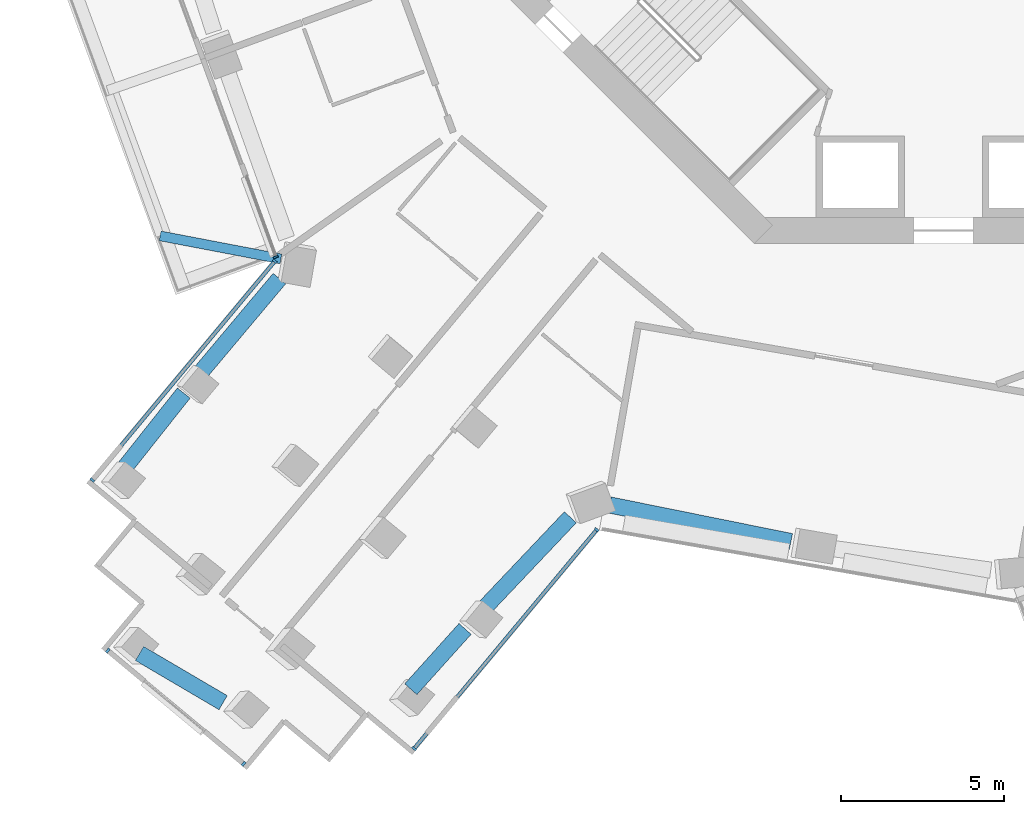
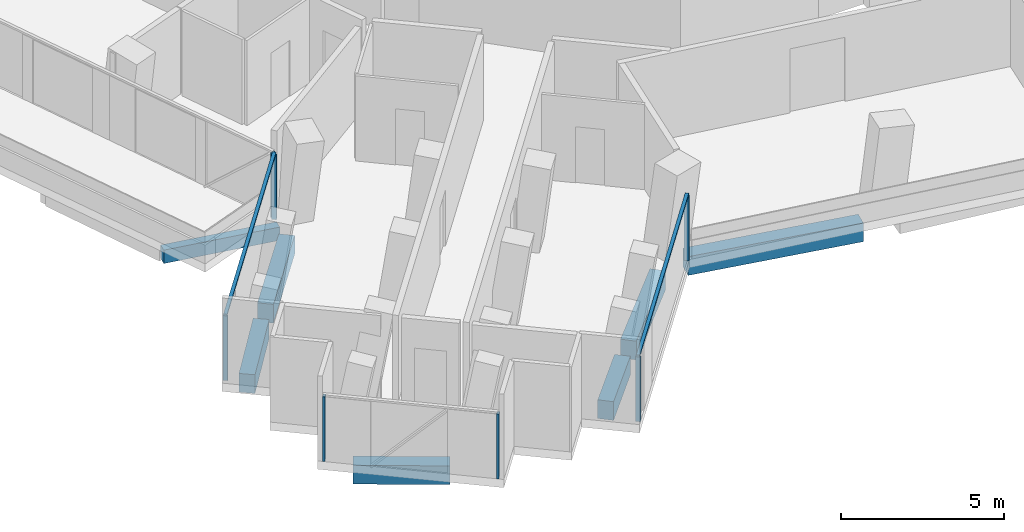
# One storey, part 2 of 24: 9 members, 7 beams, 4 elements without a shape of their own.
"""IFC4 building model written with IfcOpenShell, lengths in metres."""

import ifcopenshell
import ifcopenshell.guid

model = None  # the IFC model being written
_history = None  # IfcOwnerHistory: only IFC2X3 demands one
_inside = {}  # id of a spatial element -> (the spatial element, [elements in it])
_under = {}  # id of a project, library or spatial element -> (it, [spatial elements below it])
_declared = {}  # id of a project -> (the project, [libraries it declares])
_typed = {}  # id of a type object -> (the type object, [elements of that type])
_made_of = {}  # id of a material, layer set ... -> (it, [elements and type objects made of it])


def new_model(schema):
    """Start an empty IFC model of exactly this schema.

    Asked for "IFC4X3", IfcOpenShell would pick the latest addendum, in which some entities
    have other attributes; the version numbers below select the first issue.
    IFC2X3 requires an IfcOwnerHistory on every rooted entity: one is made here for all.
    """
    global model, _history
    if schema == "IFC4X3":
        model = ifcopenshell.file(schema_version=(4, 3, 0, 0))
    else:
        model = ifcopenshell.file(schema=schema)
    _inside.clear()
    _under.clear()
    _declared.clear()
    _typed.clear()
    _made_of.clear()
    _history = None
    if model.schema == "IFC2X3":
        org = make("IfcOrganization", Name="unknown")
        user = make(
            "IfcPersonAndOrganization",
            ThePerson=make("IfcPerson", FamilyName="unknown"),
            TheOrganization=org,
        )
        app = make(
            "IfcApplication",
            ApplicationDeveloper=org,
            Version="unknown",
            ApplicationFullName="unknown",
            ApplicationIdentifier="unknown",
        )
        _history = make(
            "IfcOwnerHistory",
            OwningUser=user,
            OwningApplication=app,
            ChangeAction="ADDED",
            CreationDate=0,
        )
    return model


def make(cls, **values):
    """One entity of the class cls with the attributes given. An attribute that is None is left unset."""
    return model.create_entity(
        cls, **{name: value for name, value in values.items() if value is not None}
    )


def rooted(cls, **values):
    """An entity with a GlobalId (a new one), such as an element, a storey or a relation."""
    return make(cls, GlobalId=ifcopenshell.guid.new(), OwnerHistory=_history, **values)


def si_unit(unit_type, name, prefix=None):
    """IfcSIUnit, for example si_unit("LENGTHUNIT", "METRE", prefix="MILLI")."""
    return make("IfcSIUnit", UnitType=unit_type, Prefix=prefix, Name=name)


def assignment(units):
    """IfcUnitAssignment: the units of a project."""
    return None if units is None else make("IfcUnitAssignment", Units=units)


def point(xyz):
    """IfcCartesianPoint."""
    return None if xyz is None else make("IfcCartesianPoint", Coordinates=xyz)


def direction(xyz):
    """IfcDirection."""
    return None if xyz is None else make("IfcDirection", DirectionRatios=xyz)


def frame(location, z_axis=None, x_axis=None):
    """IfcAxis2Placement3D, a coordinate frame: its origin and axes. An axis left out is left unset."""
    return make(
        "IfcAxis2Placement3D",
        Location=point(location),
        Axis=direction(z_axis),
        RefDirection=direction(x_axis),
    )


def frame_2d(location, x_axis=None):
    """IfcAxis2Placement2D, a coordinate frame in the plane: its origin and x axis."""
    return make(
        "IfcAxis2Placement2D", Location=point(location), RefDirection=direction(x_axis)
    )


def origin():
    """The frame at (0, 0, 0) with its axes left unset."""
    return frame((0.0, 0.0, 0.0))


def origin_2d():
    """The frame at (0, 0) in the plane with its x axis left unset."""
    return frame_2d((0.0, 0.0))


def place(relative_to, where):
    """IfcLocalPlacement: puts the frame where relative to a parent placement (None: the world)."""
    return make(
        "IfcLocalPlacement", PlacementRelTo=relative_to, RelativePlacement=where
    )


def context(
    kind, dimensions, precision=None, world=None, true_north=None, identifier=None
):
    """IfcGeometricRepresentationContext, for example the 3D "Model" context."""
    return make(
        "IfcGeometricRepresentationContext",
        ContextIdentifier=identifier,
        ContextType=kind,
        CoordinateSpaceDimension=dimensions,
        Precision=precision,
        WorldCoordinateSystem=world,
        TrueNorth=true_north,
    )


def subcontext(parent, identifier, kind, view, scale=None):
    """IfcGeometricRepresentationSubContext, for example "Body" below "Model"."""
    return make(
        "IfcGeometricRepresentationSubContext",
        ContextIdentifier=identifier,
        ContextType=kind,
        ParentContext=parent,
        TargetScale=scale,
        TargetView=view,
    )


def project(units=None, contexts=None):
    """IfcProject with its units and contexts."""
    return rooted(
        "IfcProject",
        Name="project",
        RepresentationContexts=contexts,
        UnitsInContext=assignment(units),
    )


def spatial(cls, under=None, at=None, **own):
    """A site, building, storey or space (cls), placed at a placement, below another one or the project."""
    s = rooted(cls, ObjectPlacement=at, **own)
    if under is not None:
        _under.setdefault(under.id(), (under, []))[1].append(s)
    return s


def profile(cls, at=None, kind="AREA", **sizes):
    """A parametric profile (cls). Its sizes go by their IFC names, for example OverallWidth=200.0."""
    return make(cls, ProfileType=kind, Position=at, **sizes)


def rectangle(**sizes):
    """IfcRectangleProfileDef."""
    return profile("IfcRectangleProfileDef", **sizes)


def extrude(swept, where, along, depth):
    """IfcExtrudedAreaSolid: the profile swept, set in the frame where, extruded along a direction by depth."""
    return make(
        "IfcExtrudedAreaSolid",
        SweptArea=swept,
        Position=where,
        ExtrudedDirection=direction(along),
        Depth=depth,
    )


def shape(context_of_items, identifier, shape_type, items):
    """IfcShapeRepresentation: the items that make up one representation, for example the "Body"."""
    return make(
        "IfcShapeRepresentation",
        ContextOfItems=context_of_items,
        RepresentationIdentifier=identifier,
        RepresentationType=shape_type,
        Items=items,
    )


def material(Name=None, Category=None):
    """IfcMaterial."""
    return make("IfcMaterial", Name=Name, Category=Category)


def layer(
    of_material, thickness, ventilated=None, Name=None, Category=None, Priority=None
):
    """IfcMaterialLayer: one layer of a wall or slab, of a material (None: an air gap)."""
    return make(
        "IfcMaterialLayer",
        Material=of_material,
        LayerThickness=thickness,
        IsVentilated=ventilated,
        Name=Name,
        Category=Category,
        Priority=Priority,
    )


def layer_set(layers, Name=None):
    """IfcMaterialLayerSet."""
    return make("IfcMaterialLayerSet", MaterialLayers=layers, LayerSetName=Name)


def material_profile(
    of_material, cross_section, Name=None, Category=None, Priority=None
):
    """IfcMaterialProfile: a cross section and its material."""
    return make(
        "IfcMaterialProfile",
        Name=Name,
        Material=of_material,
        Profile=cross_section,
        Priority=Priority,
        Category=Category,
    )


def profile_set(profiles, Name=None, composite=None):
    """IfcMaterialProfileSet."""
    return make(
        "IfcMaterialProfileSet",
        Name=Name,
        MaterialProfiles=profiles,
        CompositeProfile=composite,
    )


def made_of(thing, what):
    """Note that an element or type object is made of a material, layer set ...; save() writes the relation."""
    if what is not None:
        _made_of.setdefault(what.id(), (what, []))[1].append(thing)
    return thing


def type_object(cls, material=None, **own):
    """A type object (cls), such as IfcWallType, which elements share."""
    return made_of(rooted(cls, **own), material)


def element(
    cls,
    number,
    at=None,
    inside=None,
    cuts=None,
    type_object=None,
    material=None,
    context=None,
    identifier="Body",
    shape_type=None,
    held_by="IfcProductDefinitionShape",
    body=None,
    shapes=None,
    **own,
):
    """One element of the class cls, such as IfcWall. Its Tag is "e" and its number.

    at: its placement. inside: the storey or other place that contains it. cuts: it is an
    opening in that element (IfcRelVoidsElement). A single representation is given by context,
    identifier, shape_type and body (its items); several are given by shapes. held_by: the class
    of the entity that holds the representations. save() writes the other relations.
    """
    e = rooted(cls, Tag="e%d" % number, ObjectPlacement=at, **own)
    if body is not None:
        shapes = [shape(context, identifier, shape_type, body)]
    if shapes is not None:
        e.Representation = make(held_by, Representations=shapes)
    if inside is not None:
        _inside.setdefault(inside.id(), (inside, []))[1].append(e)
    if cuts is not None:
        rooted(
            "IfcRelVoidsElement", RelatingBuildingElement=cuts, RelatedOpeningElement=e
        )
    if type_object is not None:
        _typed.setdefault(type_object.id(), (type_object, []))[1].append(e)
    return made_of(e, material)


def aggregate(whole, parts):
    """IfcRelAggregates: a whole, such as a stair, and the parts it consists of."""
    return rooted("IfcRelAggregates", RelatingObject=whole, RelatedObjects=parts)


def save(model, path):
    """Write the relations noted so far, then the file.

    IfcRelAggregates (storeys below a building ...), IfcRelContainedInSpatialStructure (elements
    in a storey), IfcRelDefinesByType, IfcRelAssociatesMaterial and IfcRelDeclares: one each for
    every whole, place, type object, material and project.
    """
    for whole, parts in _under.values():
        aggregate(whole, parts)
    for where, things in _inside.values():
        rooted(
            "IfcRelContainedInSpatialStructure",
            RelatedElements=things,
            RelatingStructure=where,
        )
    for kind, things in _typed.values():
        rooted("IfcRelDefinesByType", RelatedObjects=things, RelatingType=kind)
    for what, things in _made_of.values():
        rooted("IfcRelAssociatesMaterial", RelatedObjects=things, RelatingMaterial=what)
    for by, libraries in _declared.values():
        rooted("IfcRelDeclares", RelatingContext=by, RelatedDefinitions=libraries)
    model.write(path)


model = new_model("IFC4")

# Units and contexts
model_context = context("Model", 3, precision=1e-05, world=origin(), true_north=direction((0.0, 1.0)))
body_context = subcontext(model_context, "Body", "Model", "MODEL_VIEW")
ifc_project = project(units=[si_unit("LENGTHUNIT", "METRE"), si_unit("AREAUNIT", "SQUARE_METRE"), si_unit("VOLUMEUNIT", "CUBIC_METRE"), si_unit("PLANEANGLEUNIT", "RADIAN"), si_unit("MASSUNIT", "GRAM", prefix="KILO")], contexts=[model_context])

# Site, building, storey
site_placement = place(None, origin())
site = spatial("IfcSite", under=ifc_project, at=site_placement, CompositionType="ELEMENT")
building_placement = place(site_placement, origin())
building = spatial("IfcBuilding", under=site, at=building_placement, Name="Verdalira Terraces Hotel", CompositionType="ELEMENT")
storey_placement = place(building_placement, frame((0.0, 0.0, 115.0)))
storey = spatial("IfcBuildingStorey", under=building, at=storey_placement, Name="L27", CompositionType="ELEMENT", Elevation=115.0)

# Beam
ifc_material_1 = material(Name="Concrete C40", Category="concrete")
ifc_material_profile_1 = material_profile(ifc_material_1, rectangle(XDim=0.300049, YDim=0.5, at=origin_2d()), Name="RC 300X500")
ifc_profile_set_1 = profile_set([ifc_material_profile_1], Name="Concrete C40")
beam_type_1 = type_object("IfcBeamType", Name="Balcony cantilever beam RC 300X500 C40", PredefinedType="BEAM", material=ifc_profile_set_1)
beam_1_placement = place(storey_placement, frame((-20.312744, -14.466797, -0.560059), z_axis=(-0.982280703, 0.187415635, 0.0), x_axis=(-0.187415635, -0.982280703, 0.0)))
element("IfcBeam", 1, at=beam_1_placement, inside=storey, type_object=beam_type_1, Name="Balcony cantilever beam R12-2", PredefinedType="BEAM", context=body_context, shape_type="SweptSolid", body=[
    extrude(rectangle(XDim=0.300049, YDim=0.5, at=origin_2d()), origin(), (0.0, 0.0, 1.0), 3.77002),
])

# Curtain wall, member
ifc_material_2 = material(Name="Clear glass", Category="glass")
ifc_layer_1 = layer(ifc_material_2, 0.14990234375)
ifc_layer_set_1 = layer_set([ifc_layer_1], Name="CW1 curtain wall")
curtain_wall_type_1 = type_object("IfcCurtainWallType", Name="CW1 curtain wall", PredefinedType="NOTDEFINED", material=ifc_layer_set_1)
curtain_wall_1_placement = place(storey_placement, origin())
curtain_wall_1 = element("IfcCurtainWall", 2, at=curtain_wall_1_placement, inside=storey, type_object=curtain_wall_type_1, Name="CW1 curtain wall L27 edge 13", PredefinedType="NOTDEFINED")
ifc_material_3 = material(Name="Terracotta frame", Category="masonry")
ifc_material_profile_2 = material_profile(ifc_material_3, rectangle(XDim=0.060059, YDim=0.149902, at=origin_2d()), Name="MU 60x150")
ifc_profile_set_2 = profile_set([ifc_material_profile_2], Name="Terracotta frame")
member_type_1 = type_object("IfcMemberType", Name="CW1 mullion 60x150", PredefinedType="MULLION", material=ifc_profile_set_2)
member_1_placement = place(storey_placement, frame((-20.471924, -14.408203, 0.0), z_axis=(0.0, 0.0, 1.0), x_axis=(0.344642923, -0.938733858, 0.0)))
member_1 = element("IfcMember", 3, at=member_1_placement, type_object=member_type_1, Name="CW1 mullion", PredefinedType="MULLION", context=body_context, shape_type="SweptSolid", body=[
    extrude(rectangle(XDim=0.060059, YDim=0.149902, at=origin_2d()), origin(), (0.0, 0.0, 1.0), 2.425049),
])
aggregate(curtain_wall_1, [member_1])

# Curtain wall, members
ifc_material_4 = material(Name="Clear glass", Category="glass")
ifc_layer_2 = layer(ifc_material_4, 0.14990234375)
ifc_layer_set_2 = layer_set([ifc_layer_2], Name="CW2 curtain wall")
curtain_wall_type_2 = type_object("IfcCurtainWallType", Name="CW2 curtain wall", PredefinedType="NOTDEFINED", material=ifc_layer_set_2)
curtain_wall_2_placement = place(storey_placement, origin())
curtain_wall_2 = element("IfcCurtainWall", 4, at=curtain_wall_2_placement, inside=storey, type_object=curtain_wall_type_2, Name="CW2 curtain wall L27 edge 14", PredefinedType="NOTDEFINED")
ifc_material_5 = material(Name="Terracotta frame", Category="masonry")
ifc_material_profile_3 = material_profile(ifc_material_5, rectangle(XDim=0.070068, YDim=0.149902, at=origin_2d()), Name="MU 70x150")
ifc_profile_set_3 = profile_set([ifc_material_profile_3], Name="Terracotta frame")
member_type_2 = type_object("IfcMemberType", Name="CW2 mullion 70x150", PredefinedType="MULLION", material=ifc_profile_set_3)
member_2_placement = place(storey_placement, frame((-20.496826, -14.537109, 0.0), z_axis=(0.0, 0.0, 1.0), x_axis=(-0.640645907, -0.767836456, 0.0)))
member_2 = element("IfcMember", 5, at=member_2_placement, type_object=member_type_2, Name="CW2 mullion", PredefinedType="MULLION", context=body_context, shape_type="SweptSolid", body=[
    extrude(rectangle(XDim=0.070068, YDim=0.149902, at=origin_2d()), origin(), (0.0, 0.0, 1.0), 2.425049),
])
member_3_placement = place(storey_placement, frame((-26.095703, -21.247559, 0.0), z_axis=(0.0, 0.0, 1.0), x_axis=(-0.640645907, -0.767836456, 0.0)))
member_3 = element("IfcMember", 6, at=member_3_placement, type_object=member_type_2, Name="CW2 mullion", PredefinedType="MULLION", context=body_context, shape_type="SweptSolid", body=[
    extrude(rectangle(XDim=0.070068, YDim=0.149902, at=origin_2d()), origin(), (0.0, 0.0, 1.0), 2.425049),
])

curtain_wall_3_placement = place(storey_placement, origin())
curtain_wall_3 = element("IfcCurtainWall", 7, at=curtain_wall_3_placement, inside=storey, type_object=curtain_wall_type_2, Name="CW2 curtain wall L27 edge 24", PredefinedType="NOTDEFINED")
member_4_placement = place(storey_placement, frame((-16.229004, -29.479736, 0.0), z_axis=(0.0, 0.0, 1.0), x_axis=(0.640645907, 0.767836456, 0.0)))
member_4 = element("IfcMember", 8, at=member_4_placement, type_object=member_type_2, Name="CW2 mullion", PredefinedType="MULLION", context=body_context, shape_type="SweptSolid", body=[
    extrude(rectangle(XDim=0.070068, YDim=0.149902, at=origin_2d()), origin(), (0.0, 0.0, 1.0), 2.425049),
])
member_5_placement = place(storey_placement, frame((-10.630127, -22.769531, 0.0), z_axis=(0.0, 0.0, 1.0), x_axis=(0.640645907, 0.767836456, 0.0)))
member_5 = element("IfcMember", 9, at=member_5_placement, type_object=member_type_2, Name="CW2 mullion", PredefinedType="MULLION", context=body_context, shape_type="SweptSolid", body=[
    extrude(rectangle(XDim=0.070068, YDim=0.149902, at=origin_2d()), origin(), (0.0, 0.0, 1.0), 2.425049),
])

# Member
ifc_material_6 = material(Name="Terracotta frame", Category="masonry")
ifc_material_profile_4 = material_profile(ifc_material_6, rectangle(XDim=0.11499, YDim=0.064941, at=origin_2d()), Name="TR 65x115")
ifc_profile_set_4 = profile_set([ifc_material_profile_4], Name="Terracotta frame")
member_type_3 = type_object("IfcMemberType", Name="CW2 transom 65x115", PredefinedType="USERDEFINED", material=ifc_profile_set_4)
member_6_placement = place(storey_placement, frame((-20.474365, -14.510254, 2.45752), z_axis=(-0.640636799, -0.767844054, 0.0), x_axis=(0.767844054, -0.640636799, 0.0)))
member_6 = element("IfcMember", 10, at=member_6_placement, type_object=member_type_3, Name="CW2 transom", ObjectType="TRANSOM", PredefinedType="USERDEFINED", context=body_context, shape_type="SweptSolid", body=[
    extrude(rectangle(XDim=0.11499, YDim=0.064941, at=origin_2d()), origin(), (0.0, 0.0, 1.0), 8.809326),
])

aggregate(curtain_wall_2, [member_2, member_3, member_6])

member_7_placement = place(storey_placement, frame((-16.251221, -29.506836, 2.45752), z_axis=(0.640636799, 0.767844054, 0.0), x_axis=(-0.767844054, 0.640636799, 0.0)))
member_7 = element("IfcMember", 11, at=member_7_placement, type_object=member_type_3, Name="CW2 transom", ObjectType="TRANSOM", PredefinedType="USERDEFINED", context=body_context, shape_type="SweptSolid", body=[
    extrude(rectangle(XDim=0.11499, YDim=0.064941, at=origin_2d()), origin(), (0.0, 0.0, 1.0), 8.809326),
])

aggregate(curtain_wall_3, [member_4, member_5, member_7])

# Curtain wall, members
ifc_material_7 = material(Name="Clear glass", Category="glass")
ifc_layer_3 = layer(ifc_material_7, 0.14990234375)
ifc_layer_set_3 = layer_set([ifc_layer_3], Name="CW3 curtain wall")
curtain_wall_type_3 = type_object("IfcCurtainWallType", Name="CW3 curtain wall", PredefinedType="NOTDEFINED", material=ifc_layer_set_3)
curtain_wall_4_placement = place(storey_placement, origin())
curtain_wall_4 = element("IfcCurtainWall", 12, at=curtain_wall_4_placement, inside=storey, type_object=curtain_wall_type_3, Name="CW3 curtain wall L27 edge 19", PredefinedType="NOTDEFINED")
ifc_material_8 = material(Name="Terracotta frame", Category="masonry")
ifc_material_profile_5 = material_profile(ifc_material_8, rectangle(XDim=0.080078, YDim=0.149902, at=origin_2d()), Name="MU 80x150")
ifc_profile_set_5 = profile_set([ifc_material_profile_5], Name="Terracotta frame")
member_type_4 = type_object("IfcMemberType", Name="CW3 mullion 80x150", PredefinedType="MULLION", material=ifc_profile_set_5)
member_8_placement = place(storey_placement, frame((-25.619873, -26.476318, 0.0), z_axis=(0.0, 0.0, 1.0), x_axis=(0.767836456, -0.640645907, 0.0)))
member_8 = element("IfcMember", 13, at=member_8_placement, type_object=member_type_4, Name="CW3 mullion", PredefinedType="MULLION", context=body_context, shape_type="SweptSolid", body=[
    extrude(rectangle(XDim=0.080078, YDim=0.149902, at=origin_2d()), origin(), (0.0, 0.0, 1.0), 2.425049),
])
member_9_placement = place(storey_placement, frame((-21.458252, -29.948486, 0.0), z_axis=(0.0, 0.0, 1.0), x_axis=(0.767836456, -0.640645907, 0.0)))
member_9 = element("IfcMember", 14, at=member_9_placement, type_object=member_type_4, Name="CW3 mullion", PredefinedType="MULLION", context=body_context, shape_type="SweptSolid", body=[
    extrude(rectangle(XDim=0.080078, YDim=0.149902, at=origin_2d()), origin(), (0.0, 0.0, 1.0), 2.425049),
])
aggregate(curtain_wall_4, [member_8, member_9])

# Beams
ifc_material_9 = material(Name="Concrete C70", Category="concrete")
ifc_material_profile_6 = material_profile(ifc_material_9, rectangle(XDim=0.5, YDim=0.699951, at=origin_2d()), Name="RC 500X700")
ifc_profile_set_6 = profile_set([ifc_material_profile_6], Name="Concrete C70")
beam_type_2 = type_object("IfcBeamType", Name="Spandrel beam RC 500X700 C70", PredefinedType="SPANDREL", material=ifc_profile_set_6)
beam_2_placement = place(storey_placement, frame((-20.358887, -15.070068, -0.659912), z_axis=(-0.643207349, -0.765692044, 0.0), x_axis=(0.765692044, -0.643207349, 0.0)))
element("IfcBeam", 15, at=beam_2_placement, inside=storey, type_object=beam_type_2, Name="Spandrel beam B10", PredefinedType="SPANDREL", context=body_context, shape_type="SweptSolid", body=[
    extrude(rectangle(XDim=0.5, YDim=0.699951, at=origin_2d()), origin(), (0.0, 0.0, 1.0), 3.751221),
])
beam_3_placement = place(storey_placement, frame((-23.291016, -18.579346, -0.659912), z_axis=(-0.620914137, -0.783878584, 0.0), x_axis=(0.783878584, -0.620914137, 0.0)))
element("IfcBeam", 16, at=beam_3_placement, inside=storey, type_object=beam_type_2, Name="Spandrel beam B11", PredefinedType="SPANDREL", context=body_context, shape_type="SweptSolid", body=[
    extrude(rectangle(XDim=0.5, YDim=0.699951, at=origin_2d()), origin(), (0.0, 0.0, 1.0), 2.990234),
])
beam_4_placement = place(storey_placement, frame((-24.647705, -26.564941, -0.659912), z_axis=(0.862187389, -0.506589486, 0.0), x_axis=(0.506589486, 0.862187389, 0.0)))
element("IfcBeam", 17, at=beam_4_placement, inside=storey, type_object=beam_type_2, Name="Spandrel beam B12", PredefinedType="SPANDREL", context=body_context, shape_type="SweptSolid", body=[
    extrude(rectangle(XDim=0.5, YDim=0.699951, at=origin_2d()), origin(), (0.0, 0.0, 1.0), 2.973389),
])
beam_5_placement = place(storey_placement, frame((-16.32959, -27.6604, -0.659912), z_axis=(0.668313842, 0.743879431, 0.0), x_axis=(-0.743879431, 0.668313842, 0.0)))
element("IfcBeam", 18, at=beam_5_placement, inside=storey, type_object=beam_type_2, Name="Spandrel beam B13", PredefinedType="SPANDREL", context=body_context, shape_type="SweptSolid", body=[
    extrude(rectangle(XDim=0.5, YDim=0.699951, at=origin_2d()), origin(), (0.0, 0.0, 1.0), 2.487793),
])
beam_6_placement = place(storey_placement, frame((-14.106689, -25.202881, -0.659912), z_axis=(0.687873837, 0.725830272, 0.0), x_axis=(-0.725830272, 0.687873837, 0.0)))
element("IfcBeam", 19, at=beam_6_placement, inside=storey, type_object=beam_type_2, Name="Spandrel beam B14", PredefinedType="SPANDREL", context=body_context, shape_type="SweptSolid", body=[
    extrude(rectangle(XDim=0.5, YDim=0.699951, at=origin_2d()), origin(), (0.0, 0.0, 1.0), 3.878662),
])
beam_7_placement = place(storey_placement, frame((-10.235596, -22.010254, -0.659912), z_axis=(0.980216414, -0.197928728, 0.0), x_axis=(0.197928728, 0.980216414, 0.0)))
element("IfcBeam", 20, at=beam_7_placement, inside=storey, type_object=beam_type_2, Name="Spandrel beam B15", PredefinedType="SPANDREL", context=body_context, shape_type="SweptSolid", body=[
    extrude(rectangle(XDim=0.5, YDim=0.699951, at=origin_2d()), origin(), (0.0, 0.0, 1.0), 5.671631),
])

save(model, "model.ifc")
